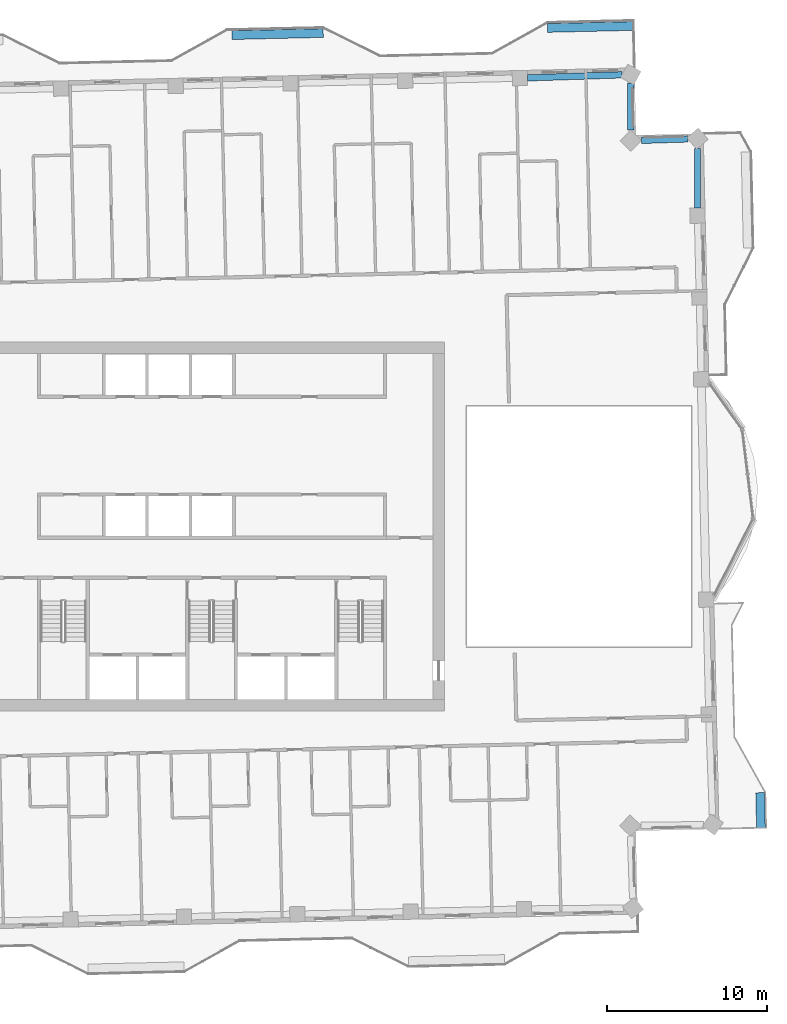
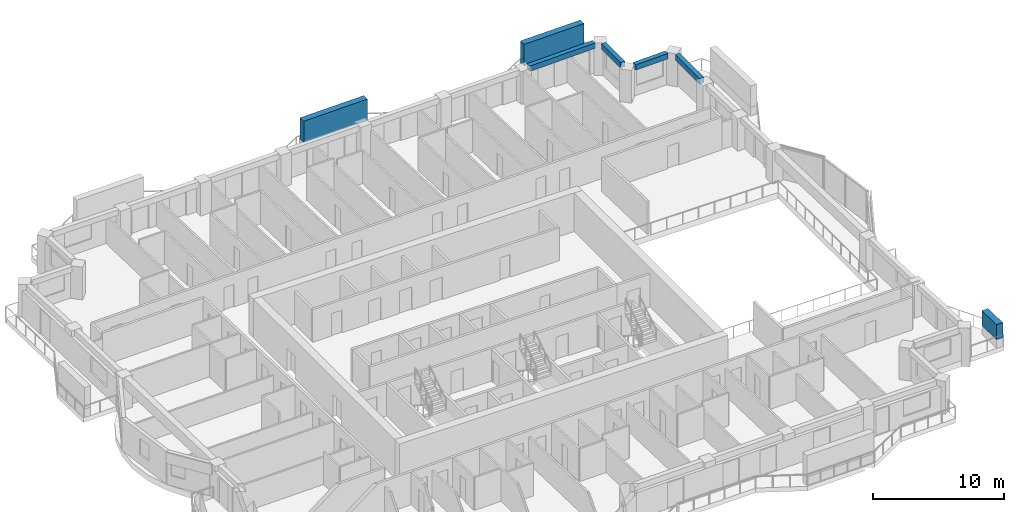
# One storey, part 5 of 20: 4 beams, 3 members.
"""IFC4 building model written with IfcOpenShell, lengths in metres."""

from ifc_helpers import new_model, si_unit, direction, frame, origin, origin_2d, place, context, subcontext, project, spatial, rectangle, extrude, material, material_profile, profile_set, type_object, element, save


model = new_model("IFC4")

# Units and contexts
model_context = context("Model", 3, precision=1e-05, world=origin(), true_north=direction((0.0, 1.0)))
body_context = subcontext(model_context, "Body", "Model", "MODEL_VIEW")
ifc_project = project(units=[si_unit("LENGTHUNIT", "METRE"), si_unit("AREAUNIT", "SQUARE_METRE"), si_unit("VOLUMEUNIT", "CUBIC_METRE"), si_unit("PLANEANGLEUNIT", "RADIAN"), si_unit("MASSUNIT", "GRAM", prefix="KILO")], contexts=[model_context])

# Site, building, storey
site_placement = place(None, origin())
site = spatial("IfcSite", under=ifc_project, at=site_placement, CompositionType="ELEMENT")
building_placement = place(site_placement, origin())
building = spatial("IfcBuilding", under=site, at=building_placement, Name="Mangrove Gate Tower", CompositionType="ELEMENT")
storey_placement = place(building_placement, frame((0.0, 0.0, 279.89990234375)))
storey = spatial("IfcBuildingStorey", under=building, at=storey_placement, Name="L71", CompositionType="ELEMENT", Elevation=279.89990234375)

# Members
ifc_material_1 = material(Name="Planting on aluminium trellis", Category="aluminium")
ifc_material_profile_1 = material_profile(ifc_material_1, rectangle(XDim=0.550048828125, YDim=1.39990234375, at=origin_2d()))
ifc_profile_set_1 = profile_set([ifc_material_profile_1], Name="Planting on aluminium trellis")
member_type_1 = type_object("IfcMemberType", Name="Balcony greenery screen 550x1400", PredefinedType="USERDEFINED", material=ifc_profile_set_1)
member_1_placement = place(storey_placement, frame((34.256103515625, -18.81396484375, 1.5), z_axis=(-0.022754182687, 0.999741090068, 0.0), x_axis=(-0.999741090068, -0.022754182687, 0.0)))
element("IfcMember", 1, at=member_1_placement, inside=storey, type_object=member_type_1, Name="GREEN SCREEN L71 E0.1", ObjectType="PLANTING", PredefinedType="USERDEFINED", context=body_context, shape_type="SweptSolid", body=[
    extrude(rectangle(XDim=0.550048828125, YDim=1.39990234375, at=origin_2d()), origin(), (0.0, 0.0, 1.0), 2.199462890625),
])
ifc_material_2 = material(Name="Planting on aluminium trellis", Category="aluminium")
ifc_material_profile_2 = material_profile(ifc_material_2, rectangle(XDim=0.550048828125, YDim=2.0, at=origin_2d()))
ifc_profile_set_2 = profile_set([ifc_material_profile_2], Name="Planting on aluminium trellis")
member_type_2 = type_object("IfcMemberType", Name="Balcony greenery screen 550x2000", PredefinedType="USERDEFINED", material=ifc_profile_set_2)
member_2_placement = place(storey_placement, frame((1.240966796875, 30.6640625, 1.800048828125), z_axis=(0.999740396355, 0.022784641685, 0.0), x_axis=(-0.022784641685, 0.999740396355, 0.0)))
element("IfcMember", 2, at=member_2_placement, inside=storey, type_object=member_type_2, Name="GREEN SCREEN L71 N0.1", ObjectType="PLANTING", PredefinedType="USERDEFINED", context=body_context, shape_type="SweptSolid", body=[
    extrude(rectangle(XDim=0.550048828125, YDim=2.0, at=origin_2d()), origin(), (0.0, 0.0, 1.0), 5.700439453125),
])
member_3_placement = place(storey_placement, frame((20.93603515625, 31.111083984375, 1.800048828125), z_axis=(0.999742469077, 0.022693512809, 0.0), x_axis=(-0.022693512809, 0.999742469077, 0.0)))
element("IfcMember", 3, at=member_3_placement, inside=storey, type_object=member_type_2, Name="GREEN SCREEN L71 N0.2", ObjectType="PLANTING", PredefinedType="USERDEFINED", context=body_context, shape_type="SweptSolid", body=[
    extrude(rectangle(XDim=0.550048828125, YDim=2.0, at=origin_2d()), origin(), (0.0, 0.0, 1.0), 5.368408203125),
])

# Beams
ifc_material_3 = material(Name="Concrete C50/60", Category="concrete")
ifc_material_profile_3 = material_profile(ifc_material_3, rectangle(XDim=0.39990234375, YDim=0.5, at=origin_2d()))
ifc_profile_set_3 = profile_set([ifc_material_profile_3], Name="Concrete C50/60")
beam_type = type_object("IfcBeamType", Name="Edge beam RC 400x500 C50/60", PredefinedType="BEAM", material=ifc_profile_set_3)
beam_1_placement = place(storey_placement, frame((30.298095703125, 19.872314453125, 2.800048828125), z_axis=(-0.000263504602, 0.999999965283, 0.0), x_axis=(-0.999999965283, -0.000263504602, 0.0)))
element("IfcBeam", 4, at=beam_1_placement, inside=storey, type_object=beam_type, Name="Edge beam L71 19", PredefinedType="BEAM", context=body_context, shape_type="SweptSolid", body=[
    extrude(rectangle(XDim=0.39990234375, YDim=0.5, at=origin_2d()), origin(), (0.0, 0.0, 1.0), 3.7060546875),
])
beam_2_placement = place(storey_placement, frame((29.6865234375, 24.186279296875, 2.800048828125), z_axis=(-0.99952516479, -0.030813064624, 0.0), x_axis=(0.030813064624, -0.99952516479, 0.0)))
element("IfcBeam", 5, at=beam_2_placement, inside=storey, type_object=beam_type, Name="Edge beam L71 20", PredefinedType="BEAM", context=body_context, shape_type="SweptSolid", body=[
    extrude(rectangle(XDim=0.39990234375, YDim=0.5, at=origin_2d()), origin(), (0.0, 0.0, 1.0), 2.89208984375),
])
beam_3_placement = place(storey_placement, frame((26.130126953125, 24.7333984375, 2.800048828125), z_axis=(0.00058381975, 0.999999829577, 0.0), x_axis=(-0.999999829577, 0.00058381975, 0.0)))
element("IfcBeam", 6, at=beam_3_placement, inside=storey, type_object=beam_type, Name="Edge beam L71 21", PredefinedType="BEAM", context=body_context, shape_type="SweptSolid", body=[
    extrude(rectangle(XDim=0.39990234375, YDim=0.5, at=origin_2d()), origin(), (0.0, 0.0, 1.0), 2.92724609375),
])
beam_4_placement = place(storey_placement, frame((25.57861328125, 28.18603515625, 2.800048828125), z_axis=(-0.999481964138, -0.032183899135, 0.0), x_axis=(0.032183899135, -0.999481964138, 0.0)))
element("IfcBeam", 7, at=beam_4_placement, inside=storey, type_object=beam_type, Name="Edge beam L71 22", PredefinedType="BEAM", context=body_context, shape_type="SweptSolid", body=[
    extrude(rectangle(XDim=0.39990234375, YDim=0.5, at=origin_2d()), origin(), (0.0, 0.0, 1.0), 5.894287109375),
])

save(model, "model.ifc")
